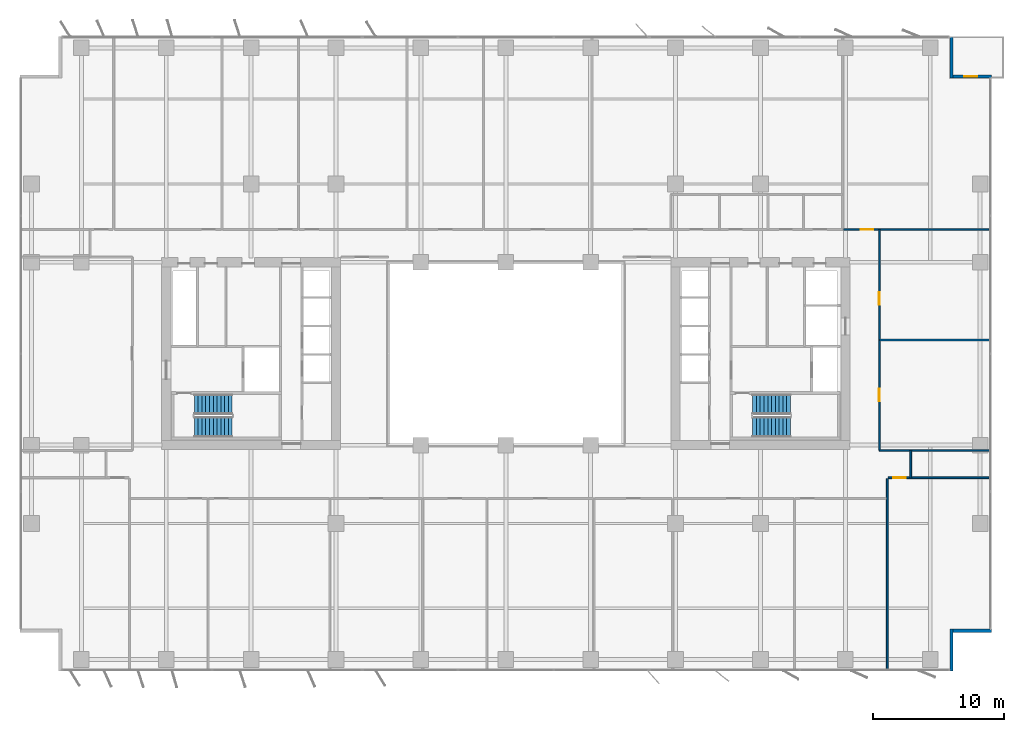
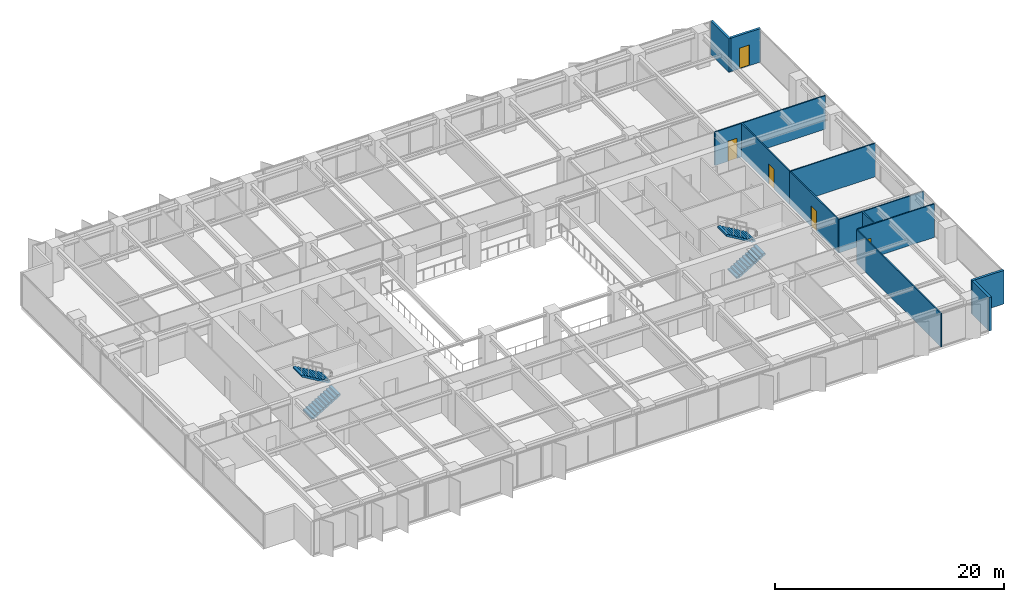
# One storey, part 16 of 20: 12 walls, 5 doors, 4 stair flights, 5 openings, 2 elements without a shape of their own.
"""IFC4 building model written with IfcOpenShell, lengths in metres."""

from ifc_helpers import new_model, si_unit, direction, frame, frame_2d, origin, place, context, subcontext, project, spatial, polyline, rectangle, outline, extrude, material, layer, layer_set, type_object, element, fill, aggregate, save


model = new_model("IFC4")

# Units and contexts
model_context = context("Model", 3, precision=1e-05, world=origin(), true_north=direction((0.0, 1.0)))
body_context = subcontext(model_context, "Body", "Model", "MODEL_VIEW")
ifc_project = project(units=[si_unit("LENGTHUNIT", "METRE"), si_unit("AREAUNIT", "SQUARE_METRE"), si_unit("VOLUMEUNIT", "CUBIC_METRE"), si_unit("PLANEANGLEUNIT", "RADIAN"), si_unit("MASSUNIT", "GRAM", prefix="KILO")], contexts=[model_context])

# Site, building, storey
site_placement = place(None, origin())
site = spatial("IfcSite", under=ifc_project, at=site_placement, CompositionType="ELEMENT")
building_placement = place(site_placement, origin())
building = spatial("IfcBuilding", under=site, at=building_placement, Name="Putna Gate Headquarters", CompositionType="ELEMENT")
storey_placement = place(building_placement, frame((0.0, 0.0, 131.60009765625)))
storey = spatial("IfcBuildingStorey", under=building, at=storey_placement, Name="L32", CompositionType="ELEMENT", Elevation=131.60009765625)

# Wall
ifc_material_1 = material(Name="Precast concrete C40/50", Category="concrete")
ifc_layer_1 = layer(ifc_material_1, 0.239990234375)
ifc_layer_set_1 = layer_set([ifc_layer_1], Name="Precast concrete C40/50")
wall_type_1 = type_object("IfcWallType", Name="WALL-EXT-TERR-240", PredefinedType="STANDARD", material=ifc_layer_set_1)
wall_1_placement = place(storey_placement, frame((73.1201171875, 50.300048828125, 0.0), z_axis=(0.0, 0.0, 1.0), x_axis=(0.0, -1.0, 0.0)))
element("IfcWall", 1, at=wall_1_placement, inside=storey, type_object=wall_type_1, Name="L32 Corner Notch Return Wall NE-V", PredefinedType="STANDARD", context=body_context, shape_type="SweptSolid", body=[
    extrude(rectangle(XDim=3.199951171875, YDim=0.239990234375, at=frame_2d((1.60009765625, 0.0))), origin(), (0.0, 0.0, 1.0), 3.56494140625),
])

# Wall, opening, door
wall_2_placement = place(storey_placement, frame((73.0, 47.219970703125, 0.0), z_axis=(0.0, 0.0, 1.0), x_axis=(1.0, 0.0, 0.0)))
wall_2 = element("IfcWall", 2, at=wall_2_placement, inside=storey, type_object=wall_type_1, Name="L32 Corner Notch Return Wall NE-H", PredefinedType="STANDARD", context=body_context, shape_type="SweptSolid", body=[
    extrude(rectangle(XDim=3.199951171875, YDim=0.239990234375, at=frame_2d((1.60009765625, 0.0))), origin(), (0.0, 0.0, 1.0), 3.56494140625),
])
opening_1_placement = place(wall_2_placement, frame((1.10009765625, 0.0, 0.0)))
opening_1 = element("IfcOpeningElement", 3, at=opening_1_placement, cuts=wall_2, Name="Opening TRD-1", PredefinedType="OPENING", context=body_context, shape_type="SweptSolid", body=[
    extrude(rectangle(XDim=1.0, YDim=2.199951171875, at=frame_2d((0.5, 1.10009765625))), frame((0.0, 0.1298828125, 0.0), z_axis=(0.0, -1.0, 0.0), x_axis=(1.0, 0.0, 0.0)), (0.0, 0.0, 1.0), 0.260009765625),
])
ifc_material_2 = material(Name="Thermally broken bronze glazed terrace door")
door_type_1 = type_object("IfcDoorType", Name="DOOR-TERR-EXT-1000", OperationType="NOTDEFINED", PredefinedType="DOOR", material=ifc_material_2)
door_1_placement = place(opening_1_placement, origin())
door_1 = element("IfcDoor", 4, at=door_1_placement, inside=storey, type_object=door_type_1, Name="L32 Spiral Sky Terrace Door NE", OperationType="SINGLE_SWING_LEFT", OverallHeight=2.199951171875, OverallWidth=1.0, PredefinedType="DOOR", context=body_context, shape_type="SweptSolid", body=[
    extrude(rectangle(XDim=1.0, YDim=2.199951171875, at=frame_2d((0.5, 1.10009765625))), frame((0.0, 0.02490234375, 0.0), z_axis=(0.0, -1.0, 0.0), x_axis=(1.0, 0.0, 0.0)), (0.0, 0.0, 1.0), 0.050048828125),
])
fill(opening_1, door_1)

# Walls
for number, where, z_axis, x_axis, name in (
    (5, (73.1201171875, 4.89990234375, 0.0), (0.0, 0.0, 1.0), (0.0, -1.0, 0.0), "L32 Corner Notch Return Wall SE-V"),
    (6, (76.199951171875, 4.780029296875, 0.0), (0.0, 0.0, 1.0), (-1.0, 0.0, 0.0), "L32 Corner Notch Return Wall SE-H"),
):
    element("IfcWall", number, at=place(storey_placement, frame(where, z_axis=z_axis, x_axis=x_axis)), inside=storey, type_object=wall_type_1, Name=name, PredefinedType="STANDARD", context=body_context, shape_type="SweptSolid", body=[
        extrude(rectangle(XDim=3.199951171875, YDim=0.239990234375, at=frame_2d((1.60009765625, 0.0))), origin(), (0.0, 0.0, 1.0), 3.56494140625),
    ])
ifc_material_3 = material(Name="Acoustic gypsum board on metal stud")
ifc_layer_2 = layer(ifc_material_3, 0.1201171875)
ifc_layer_set_2 = layer_set([ifc_layer_2], Name="Acoustic gypsum board on metal stud")
wall_type_2 = type_object("IfcWallType", Name="WALL-PART-120", PredefinedType="PARTITIONING", material=ifc_layer_set_2)
wall_3_placement = place(storey_placement, frame((68.208740234375, 1.719970703125, 0.0), z_axis=(0.0, 0.0, 1.0), x_axis=(0.0, 1.0, 0.0)))
element("IfcWall", 7, at=wall_3_placement, inside=storey, type_object=wall_type_2, Name="L32 Interior Wall PART-L32-SB-DIV-09", PredefinedType="PARTITIONING", context=body_context, shape_type="SweptSolid", body=[
    extrude(rectangle(XDim=14.719970703125, YDim=0.1201171875, at=frame_2d((7.35986328125, 0.0))), origin(), (0.0, 0.0, 1.0), 3.56494140625),
])
wall_4_placement = place(storey_placement, frame((67.60009765625, 27.050048828125, 0.0), z_axis=(0.0, 0.0, 1.0), x_axis=(1.0, 0.0, 0.0)))
element("IfcWall", 8, at=wall_4_placement, inside=storey, type_object=wall_type_2, Name="L32 Interior Wall PART-L32-EW-DIV-1", PredefinedType="PARTITIONING", context=body_context, shape_type="SweptSolid", body=[
    extrude(rectangle(XDim=8.579833984375, YDim=0.1201171875, at=frame_2d((4.2900390625, 0.0))), origin(), (0.0, 0.0, 1.0), 3.56494140625),
])
ifc_material_4 = material(Name="Fire-rated gypsum board on metal stud")
ifc_layer_3 = layer(ifc_material_4, 0.1201171875)
ifc_layer_set_3 = layer_set([ifc_layer_3], Name="Fire-rated gypsum board on metal stud")
wall_type_3 = type_object("IfcWallType", Name="WALL-PART-120-RATED", PredefinedType="PARTITIONING", material=ifc_layer_set_3)
wall_5_placement = place(storey_placement, frame((70.0087890625, 16.5, 0.0), z_axis=(0.0, 0.0, 1.0), x_axis=(0.0, 1.0, 0.0)))
element("IfcWall", 9, at=wall_5_placement, inside=storey, type_object=wall_type_3, Name="L32 Interior Wall PART-L32-CORRS-CAPE", PredefinedType="PARTITIONING", context=body_context, shape_type="SweptSolid", body=[
    extrude(rectangle(XDim=2.10009765625, YDim=0.1201171875, at=frame_2d((1.050048828125, 0.0))), origin(), (0.0, 0.0, 1.0), 3.56494140625),
])

# Wall, opening, door
wall_6_placement = place(storey_placement, frame((64.860107421875, 35.5, 0.0), z_axis=(0.0, 0.0, 1.0), x_axis=(1.0, 0.0, 0.0)))
wall_6 = element("IfcWall", 10, at=wall_6_placement, inside=storey, type_object=wall_type_3, Name="L32 Interior Wall PART-L32-NB-CW-08", PredefinedType="PARTITIONING", context=body_context, shape_type="SweptSolid", body=[
    extrude(rectangle(XDim=11.159912109375, YDim=0.1201171875, at=frame_2d((5.580078125, 0.0))), origin(), (0.0, 0.0, 1.0), 3.56494140625),
])
opening_2_placement = place(wall_6_placement, frame((1.31005859375, 0.0, 0.0)))
opening_2 = element("IfcOpeningElement", 11, at=opening_2_placement, cuts=wall_6, Name="Opening FD-95", PredefinedType="OPENING", context=body_context, shape_type="SweptSolid", body=[
    extrude(rectangle(XDim=0.949951171875, YDim=2.14990234375, at=frame_2d((0.47509765625, 1.074951171875))), frame((0.0, 0.070068359375, 0.0), z_axis=(0.0, -1.0, 0.0), x_axis=(1.0, 0.0, 0.0)), (0.0, 0.0, 1.0), 0.14013671875),
])
ifc_material_5 = material(Name="Acoustic timber fire door", Category="wood")
door_type_2 = type_object("IfcDoorType", Name="DOOR-FIRE-950", OperationType="NOTDEFINED", PredefinedType="DOOR", material=ifc_material_5)
door_2_placement = place(opening_2_placement, origin())
door_2 = element("IfcDoor", 12, at=door_2_placement, inside=storey, type_object=door_type_2, Name="L32 Collaborative Breakout Lounge 1 Door", OperationType="SINGLE_SWING_RIGHT", OverallHeight=2.14990234375, OverallWidth=0.949951171875, PredefinedType="DOOR", context=body_context, shape_type="SweptSolid", body=[
    extrude(rectangle(XDim=0.949951171875, YDim=2.14990234375, at=frame_2d((0.47509765625, 1.074951171875))), frame((0.0, 0.02490234375, 0.0), z_axis=(0.0, -1.0, 0.0), x_axis=(1.0, 0.0, 0.0)), (0.0, 0.0, 1.0), 0.050048828125),
])
fill(opening_2, door_2)

wall_7_placement = place(storey_placement, frame((68.268798828125, 16.5, 0.0), z_axis=(0.0, 0.0, 1.0), x_axis=(1.0, 0.0, 0.0)))
wall_7 = element("IfcWall", 13, at=wall_7_placement, inside=storey, type_object=wall_type_3, Name="L32 Interior Wall PART-L32-SB-CW-10", PredefinedType="PARTITIONING", context=body_context, shape_type="SweptSolid", body=[
    extrude(rectangle(XDim=7.751220703125, YDim=0.1201171875, at=frame_2d((3.87548828125, 0.0))), origin(), (0.0, 0.0, 1.0), 3.56494140625),
])
opening_3_placement = place(wall_7_placement, frame((0.39501953125, 0.0, 0.0)))
opening_3 = element("IfcOpeningElement", 14, at=opening_3_placement, cuts=wall_7, Name="Opening FD-95", PredefinedType="OPENING", context=body_context, shape_type="SweptSolid", body=[
    extrude(rectangle(XDim=0.949951171875, YDim=2.14990234375, at=frame_2d((0.47509765625, 1.074951171875))), frame((0.0, 0.070068359375, 0.0), z_axis=(0.0, -1.0, 0.0), x_axis=(1.0, 0.0, 0.0)), (0.0, 0.0, 1.0), 0.14013671875),
])
door_3_placement = place(opening_3_placement, origin())
door_3 = element("IfcDoor", 15, at=door_3_placement, inside=storey, type_object=door_type_2, Name="L32 Collaborative Breakout Lounge 3 Door", OperationType="SINGLE_SWING_RIGHT", OverallHeight=2.14990234375, OverallWidth=0.949951171875, PredefinedType="DOOR", context=body_context, shape_type="SweptSolid", body=[
    extrude(rectangle(XDim=0.949951171875, YDim=2.14990234375, at=frame_2d((0.47509765625, 1.074951171875))), frame((0.0, 0.02490234375, 0.0), z_axis=(0.0, -1.0, 0.0), x_axis=(1.0, 0.0, 0.0)), (0.0, 0.0, 1.0), 0.050048828125),
])
fill(opening_3, door_3)

# Wall
wall_8_placement = place(storey_placement, frame((67.60009765625, 18.60009765625, 0.0), z_axis=(0.0, 0.0, 1.0), x_axis=(1.0, 0.0, 0.0)))
element("IfcWall", 16, at=wall_8_placement, inside=storey, type_object=wall_type_3, Name="L32 Interior Wall PART-L32-EW-S-BOUND", PredefinedType="PARTITIONING", context=body_context, shape_type="SweptSolid", body=[
    extrude(rectangle(XDim=8.579833984375, YDim=0.1201171875, at=frame_2d((4.2900390625, 0.0))), origin(), (0.0, 0.0, 1.0), 3.56494140625),
])

# Wall, opening, door
wall_9_placement = place(storey_placement, frame((67.60009765625, 18.60009765625, 0.0), z_axis=(0.0, 0.0, 1.0), x_axis=(0.0, 1.0, 0.0)))
wall_9 = element("IfcWall", 17, at=wall_9_placement, inside=storey, type_object=wall_type_3, Name="L32 Interior Wall PART-L32-EW-CW-1", PredefinedType="PARTITIONING", context=body_context, shape_type="SweptSolid", body=[
    extrude(rectangle(XDim=8.449951171875, YDim=0.1201171875, at=frame_2d((4.22509765625, 0.0))), origin(), (0.0, 0.0, 1.0), 3.56494140625),
])
opening_4_placement = place(wall_9_placement, frame((3.75, 0.0, 0.0)))
opening_4 = element("IfcOpeningElement", 18, at=opening_4_placement, cuts=wall_9, Name="Opening FD-95", PredefinedType="OPENING", context=body_context, shape_type="SweptSolid", body=[
    extrude(rectangle(XDim=0.949951171875, YDim=2.14990234375, at=frame_2d((0.47509765625, 1.074951171875))), frame((0.0, 0.070068359375, 0.0), z_axis=(0.0, -1.0, 0.0), x_axis=(1.0, 0.0, 0.0)), (0.0, 0.0, 1.0), 0.14013671875),
])
door_4_placement = place(opening_4_placement, origin())
door_4 = element("IfcDoor", 19, at=door_4_placement, inside=storey, type_object=door_type_2, Name="L32 East Horizon Conference Room 1 Door", OperationType="SINGLE_SWING_RIGHT", OverallHeight=2.14990234375, OverallWidth=0.949951171875, PredefinedType="DOOR", context=body_context, shape_type="SweptSolid", body=[
    extrude(rectangle(XDim=0.949951171875, YDim=2.14990234375, at=frame_2d((0.47509765625, 1.074951171875))), frame((0.0, 0.02490234375, 0.0), z_axis=(0.0, -1.0, 0.0), x_axis=(1.0, 0.0, 0.0)), (0.0, 0.0, 1.0), 0.050048828125),
])
fill(opening_4, door_4)

wall_10_placement = place(storey_placement, frame((67.60009765625, 27.050048828125, 0.0), z_axis=(0.0, 0.0, 1.0), x_axis=(0.0, 1.0, 0.0)))
wall_10 = element("IfcWall", 20, at=wall_10_placement, inside=storey, type_object=wall_type_3, Name="L32 Interior Wall PART-L32-EW-CW-2", PredefinedType="PARTITIONING", context=body_context, shape_type="SweptSolid", body=[
    extrude(rectangle(XDim=8.449951171875, YDim=0.1201171875, at=frame_2d((4.22509765625, 0.0))), origin(), (0.0, 0.0, 1.0), 3.56494140625),
])
opening_5_placement = place(wall_10_placement, frame((2.699951171875, 0.0, 0.0)))
opening_5 = element("IfcOpeningElement", 21, at=opening_5_placement, cuts=wall_10, Name="Opening FD-95", PredefinedType="OPENING", context=body_context, shape_type="SweptSolid", body=[
    extrude(rectangle(XDim=0.949951171875, YDim=2.14990234375, at=frame_2d((0.47509765625, 1.074951171875))), frame((0.0, 0.070068359375, 0.0), z_axis=(0.0, -1.0, 0.0), x_axis=(1.0, 0.0, 0.0)), (0.0, 0.0, 1.0), 0.14013671875),
])
door_5_placement = place(opening_5_placement, origin())
door_5 = element("IfcDoor", 22, at=door_5_placement, inside=storey, type_object=door_type_2, Name="L32 East Horizon Conference Room 2 Door", OperationType="SINGLE_SWING_LEFT", OverallHeight=2.14990234375, OverallWidth=0.949951171875, PredefinedType="DOOR", context=body_context, shape_type="SweptSolid", body=[
    extrude(rectangle(XDim=0.949951171875, YDim=2.14990234375, at=frame_2d((0.47509765625, 1.074951171875))), frame((0.0, 0.02490234375, 0.0), z_axis=(0.0, -1.0, 0.0), x_axis=(1.0, 0.0, 0.0)), (0.0, 0.0, 1.0), 0.050048828125),
])
fill(opening_5, door_5)

# Stair, stair flights
ifc_material_6 = material(Name="Concrete C40/50", Category="concrete")
stair_type_1 = type_object("IfcStairType", Name="STAIR-ST1", PredefinedType="HALF_TURN_STAIR", material=ifc_material_6)
stair_1_placement = place(storey_placement, origin())
stair_1 = element("IfcStair", 23, at=stair_1_placement, inside=storey, type_object=stair_type_1, Name="L32 West Core Exit Stair ST1", PredefinedType="HALF_TURN_STAIR")
stair_flight_type_1 = type_object("IfcStairFlightType", Name="FLIGHT-ST1", PredefinedType="STRAIGHT", material=ifc_material_6)
stair_flight_1_placement = place(storey_placement, frame((15.14990234375, 20.375, 0.0), z_axis=(0.0, 0.0, 1.0), x_axis=(1.0, 0.0, 0.0)))
stair_flight_1 = element("IfcStairFlight", 24, at=stair_flight_1_placement, type_object=stair_flight_type_1, Name="ST1 flight 1", NumberOfRisers=11, NumberOfTreads=10, PredefinedType="STRAIGHT", RiserHeight=0.172727273, TreadLength=0.29, context=body_context, shape_type="SweptSolid", body=[
    extrude(outline(polyline([(0.0, 0.0), (0.0, 0.172607421875), (0.2900390625, 0.172607421875), (0.2900390625, 0.345458984375), (0.580078125, 0.345458984375), (0.580078125, 0.51806640625), (0.8701171875, 0.51806640625), (0.8701171875, 0.69091796875), (1.159912109375, 0.69091796875), (1.159912109375, 0.863525390625), (1.449951171875, 0.863525390625), (1.449951171875, 1.036376953125), (1.739990234375, 1.036376953125), (1.739990234375, 1.208984375), (2.030029296875, 1.208984375), (2.030029296875, 1.3818359375), (2.320068359375, 1.3818359375), (2.320068359375, 1.554443359375), (2.610107421875, 1.554443359375), (2.610107421875, 1.727294921875), (2.89990234375, 1.727294921875), (2.89990234375, 1.89990234375), (2.89990234375, 1.552734375), (0.29296875, 0.0), (0.0, 0.0)])), frame((0.0, 0.77490234375, 0.0), z_axis=(0.0, -1.0, 0.0), x_axis=(1.0, 0.0, 0.0)), (0.0, 0.0, 1.0), 1.550048828125),
])
stair_flight_2_placement = place(storey_placement, frame((18.050048828125, 22.125, 1.89990234375), z_axis=(0.0, 0.0, 1.0), x_axis=(-1.0, 0.0, 0.0)))
stair_flight_2 = element("IfcStairFlight", 25, at=stair_flight_2_placement, type_object=stair_flight_type_1, Name="ST1 flight 2", NumberOfRisers=11, NumberOfTreads=10, PredefinedType="STRAIGHT", RiserHeight=0.172727273, TreadLength=0.29, context=body_context, shape_type="SweptSolid", body=[
    extrude(outline(polyline([(0.0, 0.0), (0.0, 0.172607421875), (0.2900390625, 0.172607421875), (0.2900390625, 0.345458984375), (0.580078125, 0.345458984375), (0.580078125, 0.51806640625), (0.8701171875, 0.51806640625), (0.8701171875, 0.69091796875), (1.159912109375, 0.69091796875), (1.159912109375, 0.863525390625), (1.449951171875, 0.863525390625), (1.449951171875, 1.036376953125), (1.739990234375, 1.036376953125), (1.739990234375, 1.208984375), (2.030029296875, 1.208984375), (2.030029296875, 1.3818359375), (2.320068359375, 1.3818359375), (2.320068359375, 1.554443359375), (2.610107421875, 1.554443359375), (2.610107421875, 1.727294921875), (2.89990234375, 1.727294921875), (2.89990234375, 1.89990234375), (2.89990234375, 1.552734375), (0.29296875, 0.0), (0.0, 0.0)])), frame((0.0, 0.77490234375, 0.0), z_axis=(0.0, -1.0, 0.0), x_axis=(1.0, 0.0, 0.0)), (0.0, 0.0, 1.0), 1.550048828125),
])
aggregate(stair_1, [stair_flight_1, stair_flight_2])

stair_type_2 = type_object("IfcStairType", Name="STAIR-ST2", PredefinedType="HALF_TURN_STAIR", material=ifc_material_6)
stair_2_placement = place(storey_placement, origin())
stair_2 = element("IfcStair", 26, at=stair_2_placement, inside=storey, type_object=stair_type_2, Name="L32 East Core Exit Stair ST2", PredefinedType="HALF_TURN_STAIR")
stair_flight_type_2 = type_object("IfcStairFlightType", Name="FLIGHT-ST2", PredefinedType="STRAIGHT", material=ifc_material_6)
stair_flight_3_placement = place(storey_placement, frame((57.89990234375, 20.375, 0.0), z_axis=(0.0, 0.0, 1.0), x_axis=(1.0, 0.0, 0.0)))
stair_flight_3 = element("IfcStairFlight", 27, at=stair_flight_3_placement, type_object=stair_flight_type_2, Name="ST2 flight 1", NumberOfRisers=11, NumberOfTreads=10, PredefinedType="STRAIGHT", RiserHeight=0.172727273, TreadLength=0.29, context=body_context, shape_type="SweptSolid", body=[
    extrude(outline(polyline([(0.0, 0.0), (0.0, 0.172607421875), (0.2900390625, 0.172607421875), (0.2900390625, 0.345458984375), (0.580078125, 0.345458984375), (0.580078125, 0.51806640625), (0.8701171875, 0.51806640625), (0.8701171875, 0.69091796875), (1.159912109375, 0.69091796875), (1.159912109375, 0.863525390625), (1.449951171875, 0.863525390625), (1.449951171875, 1.036376953125), (1.739990234375, 1.036376953125), (1.739990234375, 1.208984375), (2.030029296875, 1.208984375), (2.030029296875, 1.3818359375), (2.320068359375, 1.3818359375), (2.320068359375, 1.554443359375), (2.610107421875, 1.554443359375), (2.610107421875, 1.727294921875), (2.89990234375, 1.727294921875), (2.89990234375, 1.89990234375), (2.89990234375, 1.552734375), (0.29296875, 0.0), (0.0, 0.0)])), frame((0.0, 0.77490234375, 0.0), z_axis=(0.0, -1.0, 0.0), x_axis=(1.0, 0.0, 0.0)), (0.0, 0.0, 1.0), 1.550048828125),
])
stair_flight_4_placement = place(storey_placement, frame((60.800048828125, 22.125, 1.89990234375), z_axis=(0.0, 0.0, 1.0), x_axis=(-1.0, 0.0, 0.0)))
stair_flight_4 = element("IfcStairFlight", 28, at=stair_flight_4_placement, type_object=stair_flight_type_2, Name="ST2 flight 2", NumberOfRisers=11, NumberOfTreads=10, PredefinedType="STRAIGHT", RiserHeight=0.172727273, TreadLength=0.29, context=body_context, shape_type="SweptSolid", body=[
    extrude(outline(polyline([(0.0, 0.0), (0.0, 0.172607421875), (0.2900390625, 0.172607421875), (0.2900390625, 0.345458984375), (0.580078125, 0.345458984375), (0.580078125, 0.51806640625), (0.8701171875, 0.51806640625), (0.8701171875, 0.69091796875), (1.159912109375, 0.69091796875), (1.159912109375, 0.863525390625), (1.449951171875, 0.863525390625), (1.449951171875, 1.036376953125), (1.739990234375, 1.036376953125), (1.739990234375, 1.208984375), (2.030029296875, 1.208984375), (2.030029296875, 1.3818359375), (2.320068359375, 1.3818359375), (2.320068359375, 1.554443359375), (2.610107421875, 1.554443359375), (2.610107421875, 1.727294921875), (2.89990234375, 1.727294921875), (2.89990234375, 1.89990234375), (2.89990234375, 1.552734375), (0.29296875, 0.0), (0.0, 0.0)])), frame((0.0, 0.77490234375, 0.0), z_axis=(0.0, -1.0, 0.0), x_axis=(1.0, 0.0, 0.0)), (0.0, 0.0, 1.0), 1.550048828125),
])
aggregate(stair_2, [stair_flight_3, stair_flight_4])

save(model, "model.ifc")
